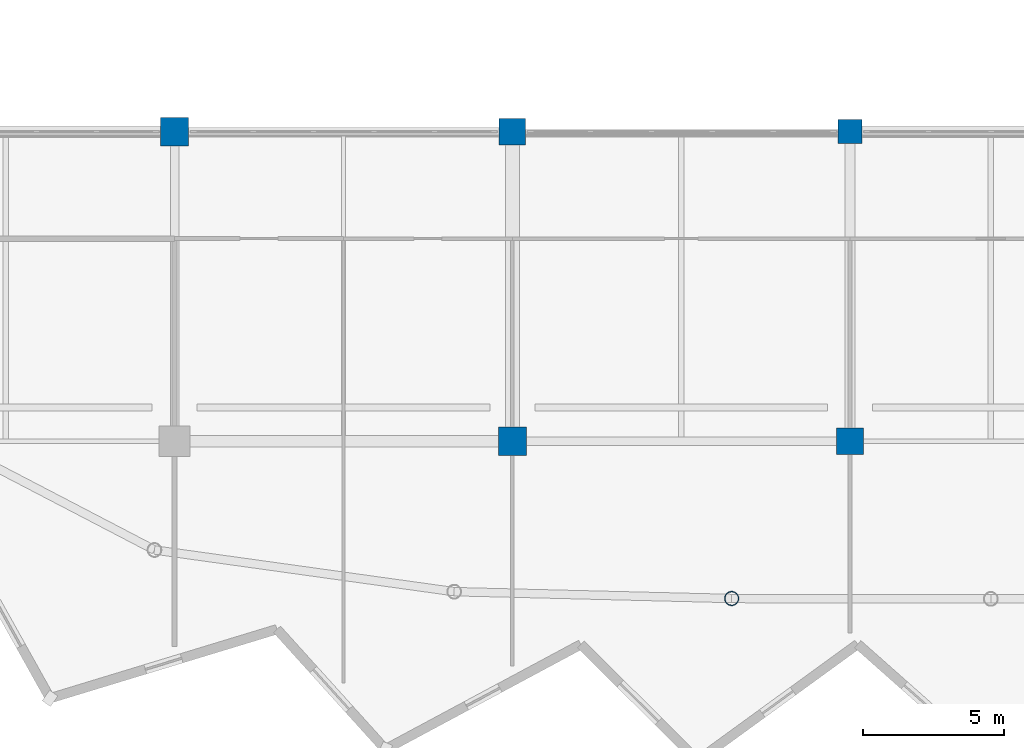
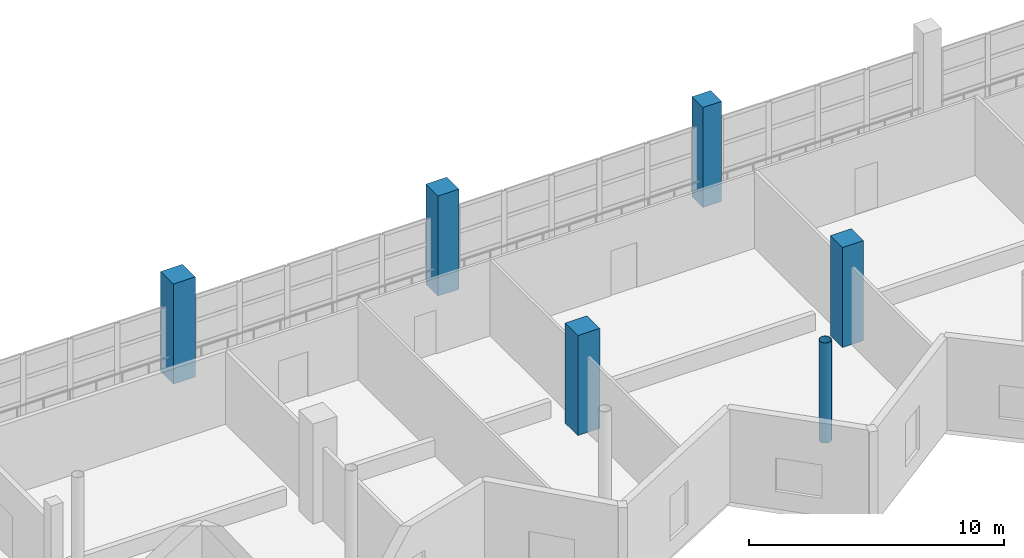
# One storey, part 2 of 53: 6 columns.
"""IFC4 building model written with IfcOpenShell, lengths in metres."""

from ifc_helpers import new_model, si_unit, direction, frame, origin, origin_2d, place, context, subcontext, project, spatial, rectangle, hollow_circle, extrude, material, material_profile, profile_set, type_object, element, save


model = new_model("IFC4")

# Units and contexts
model_context = context("Model", 3, precision=1e-05, world=origin(), true_north=direction((0.0, 1.0)))
body_context = subcontext(model_context, "Body", "Model", "MODEL_VIEW")
ifc_project = project(units=[si_unit("LENGTHUNIT", "METRE"), si_unit("AREAUNIT", "SQUARE_METRE"), si_unit("VOLUMEUNIT", "CUBIC_METRE"), si_unit("PLANEANGLEUNIT", "RADIAN"), si_unit("MASSUNIT", "GRAM", prefix="KILO")], contexts=[model_context])

# Site, building, storey
site_placement = place(None, origin())
site = spatial("IfcSite", under=ifc_project, at=site_placement, CompositionType="ELEMENT")
building_placement = place(site_placement, origin())
building = spatial("IfcBuilding", under=site, at=building_placement, Name="Luwafu Chhajja Arena", CompositionType="ELEMENT")
storey_placement = place(building_placement, frame((0.0, 0.0, 19.5)))
storey = spatial("IfcBuildingStorey", under=building, at=storey_placement, Name="L04", CompositionType="ELEMENT", Elevation=19.5)

# Columns
ifc_material_1 = material(Name="Concrete C40/50", Category="concrete")
ifc_material_profile_1 = material_profile(ifc_material_1, rectangle(XDim=1.0, YDim=1.0, at=origin_2d()), Name="RC 1000x1000")
ifc_profile_set_1 = profile_set([ifc_material_profile_1], Name="Concrete C40/50")
column_type_1 = type_object("IfcColumnType", Name="Bowl Primary Column RC 1000", PredefinedType="COLUMN", material=ifc_profile_set_1)
for number, where, z_axis, x_axis, name in (
    (1, (70.0, 22.0, 0.0), (0.0, 0.0, 1.0), (1.0, 0.0, 0.0), "L04 Grid Column 7/C"),
    (2, (82.0, 11.0, 0.0), (0.0, 0.0, 1.0), (1.0, 0.0, 0.0), "L04 Grid Column 8/B"),
):
    element("IfcColumn", number, at=place(storey_placement, frame(where, z_axis=z_axis, x_axis=x_axis)), inside=storey, type_object=column_type_1, Name=name, PredefinedType="COLUMN", context=body_context, shape_type="SweptSolid", body=[
        extrude(rectangle(XDim=1.0, YDim=1.0, at=origin_2d()), origin(), (0.0, 0.0, 1.0), 4.800048828125),
    ])
ifc_material_profile_2 = material_profile(ifc_material_1, rectangle(XDim=0.949951171875, YDim=0.949951171875, at=origin_2d()), Name="RC 950x950")
ifc_profile_set_2 = profile_set([ifc_material_profile_2], Name="Concrete C40/50")
column_type_2 = type_object("IfcColumnType", Name="Bowl Raker Support Column RC 950", PredefinedType="COLUMN", material=ifc_profile_set_2)
for number, where, z_axis, x_axis, name in (
    (3, (82.0, 22.0, 0.0), (0.0, 0.0, 1.0), (1.0, 0.0, 0.0), "L04 Grid Column 8/C"),
    (4, (94.0, 11.0, 0.0), (0.0, 0.0, 1.0), (1.0, 0.0, 0.0), "L04 Grid Column 9/B"),
):
    element("IfcColumn", number, at=place(storey_placement, frame(where, z_axis=z_axis, x_axis=x_axis)), inside=storey, type_object=column_type_2, Name=name, PredefinedType="COLUMN", context=body_context, shape_type="SweptSolid", body=[
        extrude(rectangle(XDim=0.949951171875, YDim=0.949951171875, at=origin_2d()), origin(), (0.0, 0.0, 1.0), 4.800048828125),
    ])
ifc_material_2 = material(Name="Concrete C35/45", Category="concrete")
ifc_material_profile_3 = material_profile(ifc_material_2, rectangle(XDim=0.85009765625, YDim=0.85009765625, at=origin_2d()), Name="RC 850x850")
ifc_profile_set_3 = profile_set([ifc_material_profile_3], Name="Concrete C35/45")
column_type_3 = type_object("IfcColumnType", Name="Concourse Heavy Column RC 850", PredefinedType="COLUMN", material=ifc_profile_set_3)
column_1_placement = place(storey_placement, frame((94.0, 22.0, 0.0), z_axis=(0.0, 0.0, 1.0), x_axis=(1.0, 0.0, 0.0)))
element("IfcColumn", 5, at=column_1_placement, inside=storey, type_object=column_type_3, Name="L04 Grid Column 9/C", PredefinedType="COLUMN", context=body_context, shape_type="SweptSolid", body=[
    extrude(rectangle(XDim=0.85009765625, YDim=0.85009765625, at=origin_2d()), origin(), (0.0, 0.0, 1.0), 4.800048828125),
])
ifc_material_3 = material(Name="Steel S355", Category="steel")
ifc_material_profile_4 = material_profile(ifc_material_3, hollow_circle(Radius=0.25390625, WallThickness=0.02001953125, at=origin_2d()), Name="CHS 508x20")
ifc_profile_set_4 = profile_set([ifc_material_profile_4], Name="Steel S355")
column_type_4 = type_object("IfcColumnType", Name="Steel Upper Drum Column CHS 508", PredefinedType="COLUMN", material=ifc_profile_set_4)
column_2_placement = place(storey_placement, frame((89.792724609375, 5.411865234375, 0.0), z_axis=(0.0, 0.0, 1.0), x_axis=(1.0, 0.0, 0.0)))
element("IfcColumn", 6, at=column_2_placement, inside=storey, type_object=column_type_4, Name="L04 Bowl Drum Column D24", PredefinedType="COLUMN", context=body_context, shape_type="SweptSolid", body=[
    extrude(hollow_circle(Radius=0.25390625, WallThickness=0.02001953125, at=origin_2d()), origin(), (0.0, 0.0, 1.0), 4.800048828125),
])

save(model, "model.ifc")
